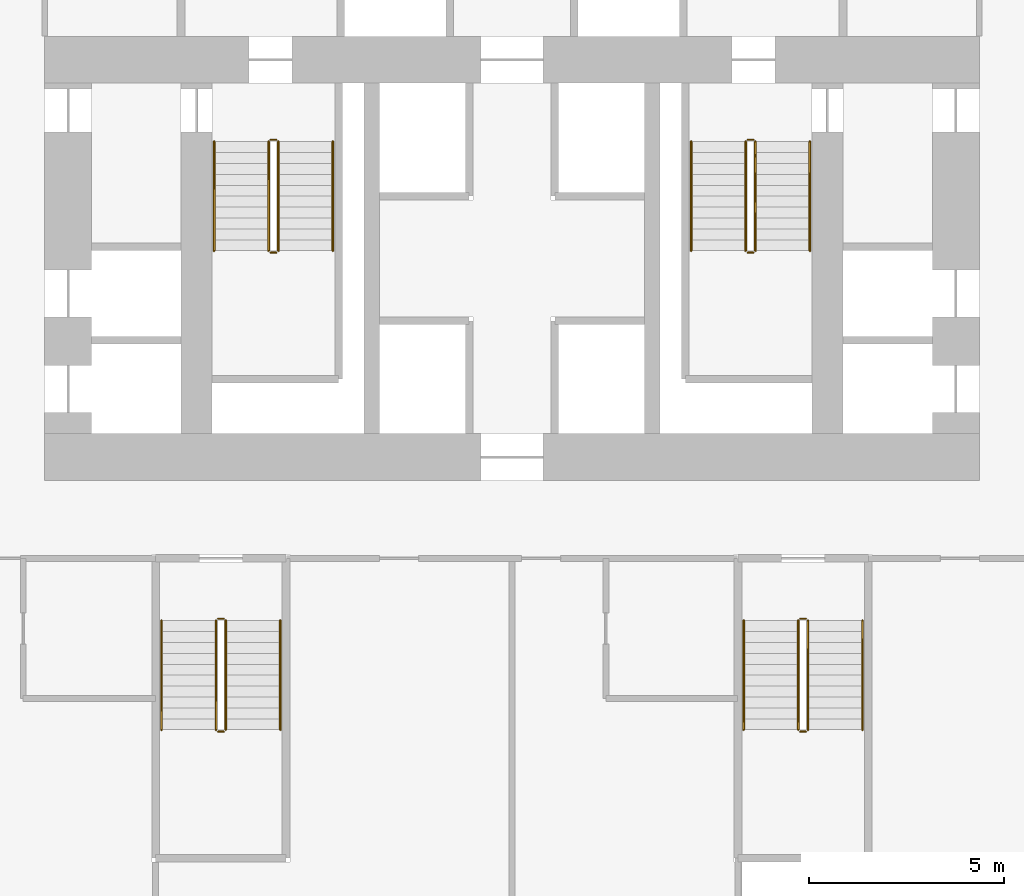
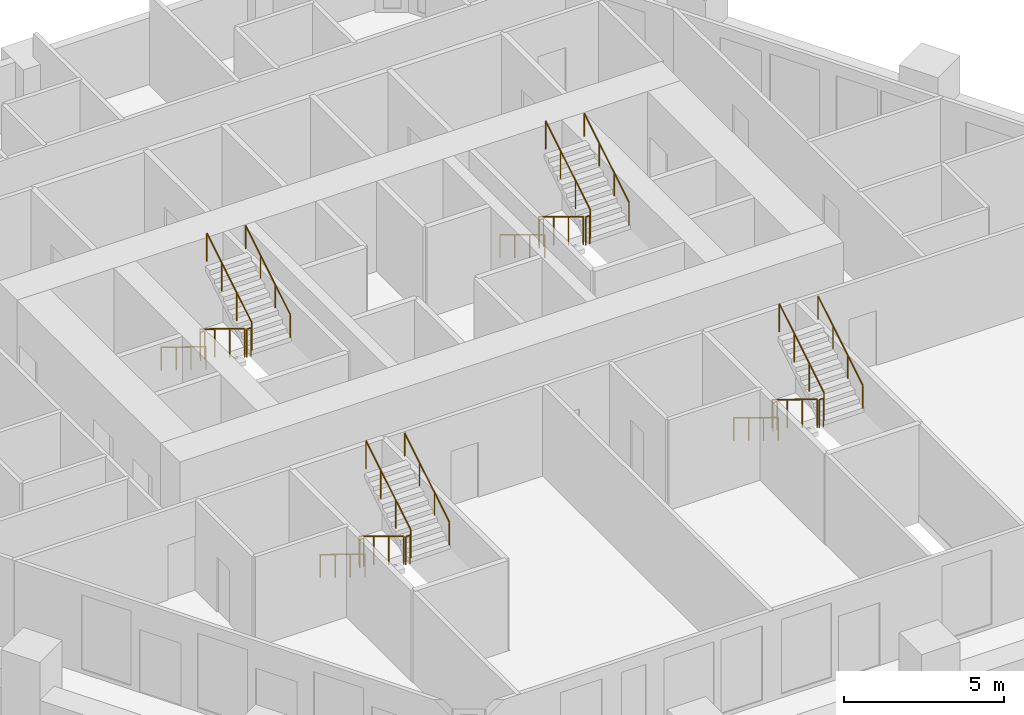
# One storey, part 8 of 8: 24 railings.
"""IFC4 building model written with IfcOpenShell, lengths in metres."""

from ifc_helpers import new_model, si_unit, direction, frame, origin, origin_2d, place, context, subcontext, project, spatial, circle, extrude, material, type_object, element, save


model = new_model("IFC4")

# Units and contexts
model_context = context("Model", 3, precision=1e-05, world=origin(), true_north=direction((0.0, 1.0)))
body_context = subcontext(model_context, "Body", "Model", "MODEL_VIEW")
ifc_project = project(units=[si_unit("LENGTHUNIT", "METRE"), si_unit("AREAUNIT", "SQUARE_METRE"), si_unit("VOLUMEUNIT", "CUBIC_METRE"), si_unit("PLANEANGLEUNIT", "RADIAN"), si_unit("MASSUNIT", "GRAM", prefix="KILO")], contexts=[model_context])

# Site, building, storey
site_placement = place(None, origin())
site = spatial("IfcSite", under=ifc_project, at=site_placement, CompositionType="ELEMENT")
building_placement = place(site_placement, origin())
building = spatial("IfcBuilding", under=site, at=building_placement, Name="Ostrander Bayou Hotel Tower", CompositionType="ELEMENT")
storey_placement = place(building_placement, frame((0.0, 0.0, 50.5)))
storey = spatial("IfcBuildingStorey", under=building, at=storey_placement, Name="L12", CompositionType="ELEMENT", Elevation=50.5)

# Railings
ifc_material_1 = material(Name="Steel ASTM A500 Gr C", Category="steel")
railing_type_1 = type_object("IfcRailingType", Name="GR1 stair guard 1100 mm steel", PredefinedType="GUARDRAIL", material=ifc_material_1)
railing_1_placement = place(storey_placement, frame((-6.25, 7.0, 0.17041015625)))
element("IfcRailing", 1, at=railing_1_placement, inside=storey, type_object=railing_type_1, Name="L12 STA stair guard 1", PredefinedType="GUARDRAIL", context=body_context, shape_type="SweptSolid", body=[
    extrude(circle(Radius=0.02392578125, at=origin_2d()), frame((0.0, 0.0, 1.076171875), z_axis=(0.0, -0.854169791009, 0.51999420009), x_axis=(1.0, 0.0, 0.0)), (0.0, 0.0, 1.0), 3.278076171875),
    extrude(circle(Radius=0.02099609375, at=origin_2d()), origin(), (0.0, 0.0, 1.0), 1.052001953125),
    extrude(circle(Radius=0.02099609375, at=origin_2d()), frame((0.0, -0.933349609375, 0.568115234375)), (0.0, 0.0, 1.0), 1.052001953125),
    extrude(circle(Radius=0.02099609375, at=origin_2d()), frame((0.0, -1.86669921875, 1.136474609375)), (0.0, 0.0, 1.0), 1.052001953125),
    extrude(circle(Radius=0.02099609375, at=origin_2d()), frame((0.0, -2.800048828125, 1.70458984375)), (0.0, 0.0, 1.0), 1.052001953125),
])
railing_2_placement = place(storey_placement, frame((-6.199951171875, 4.14990234375, 1.875)))
element("IfcRailing", 2, at=railing_2_placement, inside=storey, type_object=railing_type_1, Name="L12 STA stair guard 2", PredefinedType="GUARDRAIL", context=body_context, shape_type="SweptSolid", body=[
    extrude(circle(Radius=0.02392578125, at=origin_2d()), frame((0.0, 0.0, 1.076171875), z_axis=(1.0, 0.0, 0.0), x_axis=(0.0, 1.0, 0.0)), (0.0, 0.0, 1.0), 0.14990234375),
    extrude(circle(Radius=0.02099609375, at=origin_2d()), origin(), (0.0, 0.0, 1.0), 1.052001953125),
    extrude(circle(Radius=0.02099609375, at=origin_2d()), frame((0.14990234375, 0.0, 0.0)), (0.0, 0.0, 1.0), 1.052001953125),
])
railing_3_placement = place(storey_placement, frame((-6.0, 4.199951171875, 2.04541015625)))
element("IfcRailing", 3, at=railing_3_placement, inside=storey, type_object=railing_type_1, Name="L12 STA stair guard 3", PredefinedType="GUARDRAIL", context=body_context, shape_type="SweptSolid", body=[
    extrude(circle(Radius=0.02392578125, at=origin_2d()), frame((0.0, 0.0, 1.076171875), z_axis=(0.0, 0.854169791009, 0.51999420009), x_axis=(-1.0, 0.0, 0.0)), (0.0, 0.0, 1.0), 3.278076171875),
    extrude(circle(Radius=0.02099609375, at=origin_2d()), origin(), (0.0, 0.0, 1.0), 1.052001953125),
    extrude(circle(Radius=0.02099609375, at=origin_2d()), frame((0.0, 0.933349609375, 0.568115234375)), (0.0, 0.0, 1.0), 1.052001953125),
    extrude(circle(Radius=0.02099609375, at=origin_2d()), frame((0.0, 1.86669921875, 1.136474609375)), (0.0, 0.0, 1.0), 1.052001953125),
    extrude(circle(Radius=0.02099609375, at=origin_2d()), frame((0.0, 2.800048828125, 1.70458984375)), (0.0, 0.0, 1.0), 1.052001953125),
])
railing_4_placement = place(storey_placement, frame((-6.199951171875, 7.050048828125, 0.0)))
element("IfcRailing", 4, at=railing_4_placement, inside=storey, type_object=railing_type_1, Name="L12 STA stair guard 4", PredefinedType="GUARDRAIL", context=body_context, shape_type="SweptSolid", body=[
    extrude(circle(Radius=0.02392578125, at=origin_2d()), frame((0.0, 0.0, 1.076171875), z_axis=(1.0, 0.0, 0.0), x_axis=(0.0, 1.0, 0.0)), (0.0, 0.0, 1.0), 0.14990234375),
    extrude(circle(Radius=0.02099609375, at=origin_2d()), origin(), (0.0, 0.0, 1.0), 1.052001953125),
    extrude(circle(Radius=0.02099609375, at=origin_2d()), frame((0.14990234375, 0.0, 0.0)), (0.0, 0.0, 1.0), 1.052001953125),
])
railing_5_placement = place(storey_placement, frame((6.0, 7.0, 0.17041015625)))
element("IfcRailing", 5, at=railing_5_placement, inside=storey, type_object=railing_type_1, Name="L12 STB stair guard 1", PredefinedType="GUARDRAIL", context=body_context, shape_type="SweptSolid", body=[
    extrude(circle(Radius=0.02392578125, at=origin_2d()), frame((0.0, 0.0, 1.076171875), z_axis=(0.0, -0.854169791009, 0.51999420009), x_axis=(1.0, 0.0, 0.0)), (0.0, 0.0, 1.0), 3.278076171875),
    extrude(circle(Radius=0.02099609375, at=origin_2d()), origin(), (0.0, 0.0, 1.0), 1.052001953125),
    extrude(circle(Radius=0.02099609375, at=origin_2d()), frame((0.0, -0.933349609375, 0.568115234375)), (0.0, 0.0, 1.0), 1.052001953125),
    extrude(circle(Radius=0.02099609375, at=origin_2d()), frame((0.0, -1.86669921875, 1.136474609375)), (0.0, 0.0, 1.0), 1.052001953125),
    extrude(circle(Radius=0.02099609375, at=origin_2d()), frame((0.0, -2.800048828125, 1.70458984375)), (0.0, 0.0, 1.0), 1.052001953125),
])
railing_6_placement = place(storey_placement, frame((6.050048828125, 4.14990234375, 1.875)))
element("IfcRailing", 6, at=railing_6_placement, inside=storey, type_object=railing_type_1, Name="L12 STB stair guard 2", PredefinedType="GUARDRAIL", context=body_context, shape_type="SweptSolid", body=[
    extrude(circle(Radius=0.02392578125, at=origin_2d()), frame((0.0, 0.0, 1.076171875), z_axis=(1.0, 0.0, 0.0), x_axis=(0.0, 1.0, 0.0)), (0.0, 0.0, 1.0), 0.14990234375),
    extrude(circle(Radius=0.02099609375, at=origin_2d()), origin(), (0.0, 0.0, 1.0), 1.052001953125),
    extrude(circle(Radius=0.02099609375, at=origin_2d()), frame((0.14990234375, 0.0, 0.0)), (0.0, 0.0, 1.0), 1.052001953125),
])
railing_7_placement = place(storey_placement, frame((6.25, 4.199951171875, 2.04541015625)))
element("IfcRailing", 7, at=railing_7_placement, inside=storey, type_object=railing_type_1, Name="L12 STB stair guard 3", PredefinedType="GUARDRAIL", context=body_context, shape_type="SweptSolid", body=[
    extrude(circle(Radius=0.02392578125, at=origin_2d()), frame((0.0, 0.0, 1.076171875), z_axis=(0.0, 0.854169791009, 0.51999420009), x_axis=(-1.0, 0.0, 0.0)), (0.0, 0.0, 1.0), 3.278076171875),
    extrude(circle(Radius=0.02099609375, at=origin_2d()), origin(), (0.0, 0.0, 1.0), 1.052001953125),
    extrude(circle(Radius=0.02099609375, at=origin_2d()), frame((0.0, 0.933349609375, 0.568115234375)), (0.0, 0.0, 1.0), 1.052001953125),
    extrude(circle(Radius=0.02099609375, at=origin_2d()), frame((0.0, 1.86669921875, 1.136474609375)), (0.0, 0.0, 1.0), 1.052001953125),
    extrude(circle(Radius=0.02099609375, at=origin_2d()), frame((0.0, 2.800048828125, 1.70458984375)), (0.0, 0.0, 1.0), 1.052001953125),
])
railing_8_placement = place(storey_placement, frame((6.050048828125, 7.050048828125, 0.0)))
element("IfcRailing", 8, at=railing_8_placement, inside=storey, type_object=railing_type_1, Name="L12 STB stair guard 4", PredefinedType="GUARDRAIL", context=body_context, shape_type="SweptSolid", body=[
    extrude(circle(Radius=0.02392578125, at=origin_2d()), frame((0.0, 0.0, 1.076171875), z_axis=(1.0, 0.0, 0.0), x_axis=(0.0, 1.0, 0.0)), (0.0, 0.0, 1.0), 0.14990234375),
    extrude(circle(Radius=0.02099609375, at=origin_2d()), origin(), (0.0, 0.0, 1.0), 1.052001953125),
    extrude(circle(Radius=0.02099609375, at=origin_2d()), frame((0.14990234375, 0.0, 0.0)), (0.0, 0.0, 1.0), 1.052001953125),
])
railing_9_placement = place(storey_placement, frame((7.35009765625, -5.300048828125, 0.17041015625)))
element("IfcRailing", 9, at=railing_9_placement, inside=storey, type_object=railing_type_1, Name="L12 STC stair guard 1", PredefinedType="GUARDRAIL", context=body_context, shape_type="SweptSolid", body=[
    extrude(circle(Radius=0.02392578125, at=origin_2d()), frame((0.0, 0.0, 1.076171875), z_axis=(0.0, -0.854169791009, 0.51999420009), x_axis=(1.0, 0.0, 0.0)), (0.0, 0.0, 1.0), 3.278076171875),
    extrude(circle(Radius=0.02099609375, at=origin_2d()), origin(), (0.0, 0.0, 1.0), 1.052001953125),
    extrude(circle(Radius=0.02099609375, at=origin_2d()), frame((0.0, -0.933349609375, 0.568115234375)), (0.0, 0.0, 1.0), 1.052001953125),
    extrude(circle(Radius=0.02099609375, at=origin_2d()), frame((0.0, -1.86669921875, 1.136474609375)), (0.0, 0.0, 1.0), 1.052001953125),
    extrude(circle(Radius=0.02099609375, at=origin_2d()), frame((0.0, -2.800048828125, 1.70458984375)), (0.0, 0.0, 1.0), 1.052001953125),
])
railing_10_placement = place(storey_placement, frame((7.39990234375, -8.14990234375, 1.875)))
element("IfcRailing", 10, at=railing_10_placement, inside=storey, type_object=railing_type_1, Name="L12 STC stair guard 2", PredefinedType="GUARDRAIL", context=body_context, shape_type="SweptSolid", body=[
    extrude(circle(Radius=0.02392578125, at=origin_2d()), frame((0.0, 0.0, 1.076171875), z_axis=(1.0, 0.0, 0.0), x_axis=(0.0, 1.0, 0.0)), (0.0, 0.0, 1.0), 0.150146484375),
    extrude(circle(Radius=0.02099609375, at=origin_2d()), origin(), (0.0, 0.0, 1.0), 1.052001953125),
    extrude(circle(Radius=0.02099609375, at=origin_2d()), frame((0.150146484375, 0.0, 0.0)), (0.0, 0.0, 1.0), 1.052001953125),
])
railing_11_placement = place(storey_placement, frame((7.60009765625, -8.10009765625, 2.04541015625)))
element("IfcRailing", 11, at=railing_11_placement, inside=storey, type_object=railing_type_1, Name="L12 STC stair guard 3", PredefinedType="GUARDRAIL", context=body_context, shape_type="SweptSolid", body=[
    extrude(circle(Radius=0.02392578125, at=origin_2d()), frame((0.0, 0.0, 1.076171875), z_axis=(0.0, 0.854169791009, 0.51999420009), x_axis=(-1.0, 0.0, 0.0)), (0.0, 0.0, 1.0), 3.278076171875),
    extrude(circle(Radius=0.02099609375, at=origin_2d()), origin(), (0.0, 0.0, 1.0), 1.052001953125),
    extrude(circle(Radius=0.02099609375, at=origin_2d()), frame((0.0, 0.933349609375, 0.568115234375)), (0.0, 0.0, 1.0), 1.052001953125),
    extrude(circle(Radius=0.02099609375, at=origin_2d()), frame((0.0, 1.86669921875, 1.136474609375)), (0.0, 0.0, 1.0), 1.052001953125),
    extrude(circle(Radius=0.02099609375, at=origin_2d()), frame((0.0, 2.800048828125, 1.70458984375)), (0.0, 0.0, 1.0), 1.052001953125),
])
railing_12_placement = place(storey_placement, frame((7.39990234375, -5.25, 0.0)))
element("IfcRailing", 12, at=railing_12_placement, inside=storey, type_object=railing_type_1, Name="L12 STC stair guard 4", PredefinedType="GUARDRAIL", context=body_context, shape_type="SweptSolid", body=[
    extrude(circle(Radius=0.02392578125, at=origin_2d()), frame((0.0, 0.0, 1.076171875), z_axis=(1.0, 0.0, 0.0), x_axis=(0.0, 1.0, 0.0)), (0.0, 0.0, 1.0), 0.150146484375),
    extrude(circle(Radius=0.02099609375, at=origin_2d()), origin(), (0.0, 0.0, 1.0), 1.052001953125),
    extrude(circle(Radius=0.02099609375, at=origin_2d()), frame((0.150146484375, 0.0, 0.0)), (0.0, 0.0, 1.0), 1.052001953125),
])
railing_13_placement = place(storey_placement, frame((-7.60009765625, -5.300048828125, 0.17041015625)))
element("IfcRailing", 13, at=railing_13_placement, inside=storey, type_object=railing_type_1, Name="L12 STD stair guard 1", PredefinedType="GUARDRAIL", context=body_context, shape_type="SweptSolid", body=[
    extrude(circle(Radius=0.02392578125, at=origin_2d()), frame((0.0, 0.0, 1.076171875), z_axis=(0.0, -0.854169791009, 0.51999420009), x_axis=(1.0, 0.0, 0.0)), (0.0, 0.0, 1.0), 3.278076171875),
    extrude(circle(Radius=0.02099609375, at=origin_2d()), origin(), (0.0, 0.0, 1.0), 1.052001953125),
    extrude(circle(Radius=0.02099609375, at=origin_2d()), frame((0.0, -0.933349609375, 0.568115234375)), (0.0, 0.0, 1.0), 1.052001953125),
    extrude(circle(Radius=0.02099609375, at=origin_2d()), frame((0.0, -1.86669921875, 1.136474609375)), (0.0, 0.0, 1.0), 1.052001953125),
    extrude(circle(Radius=0.02099609375, at=origin_2d()), frame((0.0, -2.800048828125, 1.70458984375)), (0.0, 0.0, 1.0), 1.052001953125),
])
railing_14_placement = place(storey_placement, frame((-7.550048828125, -8.14990234375, 1.875)))
element("IfcRailing", 14, at=railing_14_placement, inside=storey, type_object=railing_type_1, Name="L12 STD stair guard 2", PredefinedType="GUARDRAIL", context=body_context, shape_type="SweptSolid", body=[
    extrude(circle(Radius=0.02392578125, at=origin_2d()), frame((0.0, 0.0, 1.076171875), z_axis=(1.0, 0.0, 0.0), x_axis=(0.0, 1.0, 0.0)), (0.0, 0.0, 1.0), 0.150146484375),
    extrude(circle(Radius=0.02099609375, at=origin_2d()), origin(), (0.0, 0.0, 1.0), 1.052001953125),
    extrude(circle(Radius=0.02099609375, at=origin_2d()), frame((0.150146484375, 0.0, 0.0)), (0.0, 0.0, 1.0), 1.052001953125),
])
railing_15_placement = place(storey_placement, frame((-7.35009765625, -8.10009765625, 2.04541015625)))
element("IfcRailing", 15, at=railing_15_placement, inside=storey, type_object=railing_type_1, Name="L12 STD stair guard 3", PredefinedType="GUARDRAIL", context=body_context, shape_type="SweptSolid", body=[
    extrude(circle(Radius=0.02392578125, at=origin_2d()), frame((0.0, 0.0, 1.076171875), z_axis=(0.0, 0.854169791009, 0.51999420009), x_axis=(-1.0, 0.0, 0.0)), (0.0, 0.0, 1.0), 3.278076171875),
    extrude(circle(Radius=0.02099609375, at=origin_2d()), origin(), (0.0, 0.0, 1.0), 1.052001953125),
    extrude(circle(Radius=0.02099609375, at=origin_2d()), frame((0.0, 0.933349609375, 0.568115234375)), (0.0, 0.0, 1.0), 1.052001953125),
    extrude(circle(Radius=0.02099609375, at=origin_2d()), frame((0.0, 1.86669921875, 1.136474609375)), (0.0, 0.0, 1.0), 1.052001953125),
    extrude(circle(Radius=0.02099609375, at=origin_2d()), frame((0.0, 2.800048828125, 1.70458984375)), (0.0, 0.0, 1.0), 1.052001953125),
])
railing_16_placement = place(storey_placement, frame((-7.550048828125, -5.25, 0.0)))
element("IfcRailing", 16, at=railing_16_placement, inside=storey, type_object=railing_type_1, Name="L12 STD stair guard 4", PredefinedType="GUARDRAIL", context=body_context, shape_type="SweptSolid", body=[
    extrude(circle(Radius=0.02392578125, at=origin_2d()), frame((0.0, 0.0, 1.076171875), z_axis=(1.0, 0.0, 0.0), x_axis=(0.0, 1.0, 0.0)), (0.0, 0.0, 1.0), 0.150146484375),
    extrude(circle(Radius=0.02099609375, at=origin_2d()), origin(), (0.0, 0.0, 1.0), 1.052001953125),
    extrude(circle(Radius=0.02099609375, at=origin_2d()), frame((0.150146484375, 0.0, 0.0)), (0.0, 0.0, 1.0), 1.052001953125),
])
ifc_material_2 = material(Name="Steel ASTM A500 Gr C", Category="steel")
railing_type_2 = type_object("IfcRailingType", Name="HR1 stair handrail 900 mm steel", PredefinedType="HANDRAIL", material=ifc_material_2)
railing_17_placement = place(storey_placement, frame((-7.64990234375, 7.0, 0.17041015625)))
element("IfcRailing", 17, at=railing_17_placement, inside=storey, type_object=railing_type_2, Name="L12 STA stair handrail 1", PredefinedType="HANDRAIL", context=body_context, shape_type="SweptSolid", body=[
    extrude(circle(Radius=0.02392578125, at=origin_2d()), frame((0.0, 0.0, 0.8759765625), z_axis=(0.0, -0.854169791009, 0.51999420009), x_axis=(1.0, 0.0, 0.0)), (0.0, 0.0, 1.0), 3.278076171875),
    extrude(circle(Radius=0.02099609375, at=origin_2d()), origin(), (0.0, 0.0, 1.0), 0.851806640625),
    extrude(circle(Radius=0.02099609375, at=origin_2d()), frame((0.0, -0.933349609375, 0.568115234375)), (0.0, 0.0, 1.0), 0.851806640625),
    extrude(circle(Radius=0.02099609375, at=origin_2d()), frame((0.0, -1.86669921875, 1.136474609375)), (0.0, 0.0, 1.0), 0.851806640625),
    extrude(circle(Radius=0.02099609375, at=origin_2d()), frame((0.0, -2.800048828125, 1.70458984375)), (0.0, 0.0, 1.0), 0.851806640625),
])
railing_18_placement = place(storey_placement, frame((-4.60009765625, 4.199951171875, 2.04541015625)))
element("IfcRailing", 18, at=railing_18_placement, inside=storey, type_object=railing_type_2, Name="L12 STA stair handrail 2", PredefinedType="HANDRAIL", context=body_context, shape_type="SweptSolid", body=[
    extrude(circle(Radius=0.02392578125, at=origin_2d()), frame((0.0, 0.0, 0.8759765625), z_axis=(0.0, 0.854169791009, 0.51999420009), x_axis=(-1.0, 0.0, 0.0)), (0.0, 0.0, 1.0), 3.278076171875),
    extrude(circle(Radius=0.02099609375, at=origin_2d()), origin(), (0.0, 0.0, 1.0), 0.851806640625),
    extrude(circle(Radius=0.02099609375, at=origin_2d()), frame((0.0, 0.933349609375, 0.568115234375)), (0.0, 0.0, 1.0), 0.851806640625),
    extrude(circle(Radius=0.02099609375, at=origin_2d()), frame((0.0, 1.86669921875, 1.136474609375)), (0.0, 0.0, 1.0), 0.851806640625),
    extrude(circle(Radius=0.02099609375, at=origin_2d()), frame((0.0, 2.800048828125, 1.70458984375)), (0.0, 0.0, 1.0), 0.851806640625),
])
railing_19_placement = place(storey_placement, frame((4.60009765625, 7.0, 0.17041015625)))
element("IfcRailing", 19, at=railing_19_placement, inside=storey, type_object=railing_type_2, Name="L12 STB stair handrail 1", PredefinedType="HANDRAIL", context=body_context, shape_type="SweptSolid", body=[
    extrude(circle(Radius=0.02392578125, at=origin_2d()), frame((0.0, 0.0, 0.8759765625), z_axis=(0.0, -0.854169791009, 0.51999420009), x_axis=(1.0, 0.0, 0.0)), (0.0, 0.0, 1.0), 3.278076171875),
    extrude(circle(Radius=0.02099609375, at=origin_2d()), origin(), (0.0, 0.0, 1.0), 0.851806640625),
    extrude(circle(Radius=0.02099609375, at=origin_2d()), frame((0.0, -0.933349609375, 0.568115234375)), (0.0, 0.0, 1.0), 0.851806640625),
    extrude(circle(Radius=0.02099609375, at=origin_2d()), frame((0.0, -1.86669921875, 1.136474609375)), (0.0, 0.0, 1.0), 0.851806640625),
    extrude(circle(Radius=0.02099609375, at=origin_2d()), frame((0.0, -2.800048828125, 1.70458984375)), (0.0, 0.0, 1.0), 0.851806640625),
])
railing_20_placement = place(storey_placement, frame((7.64990234375, 4.199951171875, 2.04541015625)))
element("IfcRailing", 20, at=railing_20_placement, inside=storey, type_object=railing_type_2, Name="L12 STB stair handrail 2", PredefinedType="HANDRAIL", context=body_context, shape_type="SweptSolid", body=[
    extrude(circle(Radius=0.02392578125, at=origin_2d()), frame((0.0, 0.0, 0.8759765625), z_axis=(0.0, 0.854169791009, 0.51999420009), x_axis=(-1.0, 0.0, 0.0)), (0.0, 0.0, 1.0), 3.278076171875),
    extrude(circle(Radius=0.02099609375, at=origin_2d()), origin(), (0.0, 0.0, 1.0), 0.851806640625),
    extrude(circle(Radius=0.02099609375, at=origin_2d()), frame((0.0, 0.933349609375, 0.568115234375)), (0.0, 0.0, 1.0), 0.851806640625),
    extrude(circle(Radius=0.02099609375, at=origin_2d()), frame((0.0, 1.86669921875, 1.136474609375)), (0.0, 0.0, 1.0), 0.851806640625),
    extrude(circle(Radius=0.02099609375, at=origin_2d()), frame((0.0, 2.800048828125, 1.70458984375)), (0.0, 0.0, 1.0), 0.851806640625),
])
railing_21_placement = place(storey_placement, frame((5.949951171875, -5.300048828125, 0.17041015625)))
element("IfcRailing", 21, at=railing_21_placement, inside=storey, type_object=railing_type_2, Name="L12 STC stair handrail 1", PredefinedType="HANDRAIL", context=body_context, shape_type="SweptSolid", body=[
    extrude(circle(Radius=0.02392578125, at=origin_2d()), frame((0.0, 0.0, 0.8759765625), z_axis=(0.0, -0.854169791009, 0.51999420009), x_axis=(1.0, 0.0, 0.0)), (0.0, 0.0, 1.0), 3.278076171875),
    extrude(circle(Radius=0.02099609375, at=origin_2d()), origin(), (0.0, 0.0, 1.0), 0.851806640625),
    extrude(circle(Radius=0.02099609375, at=origin_2d()), frame((0.0, -0.933349609375, 0.568115234375)), (0.0, 0.0, 1.0), 0.851806640625),
    extrude(circle(Radius=0.02099609375, at=origin_2d()), frame((0.0, -1.86669921875, 1.136474609375)), (0.0, 0.0, 1.0), 0.851806640625),
    extrude(circle(Radius=0.02099609375, at=origin_2d()), frame((0.0, -2.800048828125, 1.70458984375)), (0.0, 0.0, 1.0), 0.851806640625),
])
railing_22_placement = place(storey_placement, frame((9.0, -8.10009765625, 2.04541015625)))
element("IfcRailing", 22, at=railing_22_placement, inside=storey, type_object=railing_type_2, Name="L12 STC stair handrail 2", PredefinedType="HANDRAIL", context=body_context, shape_type="SweptSolid", body=[
    extrude(circle(Radius=0.02392578125, at=origin_2d()), frame((0.0, 0.0, 0.8759765625), z_axis=(0.0, 0.854169791009, 0.51999420009), x_axis=(-1.0, 0.0, 0.0)), (0.0, 0.0, 1.0), 3.278076171875),
    extrude(circle(Radius=0.02099609375, at=origin_2d()), origin(), (0.0, 0.0, 1.0), 0.851806640625),
    extrude(circle(Radius=0.02099609375, at=origin_2d()), frame((0.0, 0.933349609375, 0.568115234375)), (0.0, 0.0, 1.0), 0.851806640625),
    extrude(circle(Radius=0.02099609375, at=origin_2d()), frame((0.0, 1.86669921875, 1.136474609375)), (0.0, 0.0, 1.0), 0.851806640625),
    extrude(circle(Radius=0.02099609375, at=origin_2d()), frame((0.0, 2.800048828125, 1.70458984375)), (0.0, 0.0, 1.0), 0.851806640625),
])
railing_23_placement = place(storey_placement, frame((-9.0, -5.300048828125, 0.17041015625)))
element("IfcRailing", 23, at=railing_23_placement, inside=storey, type_object=railing_type_2, Name="L12 STD stair handrail 1", PredefinedType="HANDRAIL", context=body_context, shape_type="SweptSolid", body=[
    extrude(circle(Radius=0.02392578125, at=origin_2d()), frame((0.0, 0.0, 0.8759765625), z_axis=(0.0, -0.854169791009, 0.51999420009), x_axis=(1.0, 0.0, 0.0)), (0.0, 0.0, 1.0), 3.278076171875),
    extrude(circle(Radius=0.02099609375, at=origin_2d()), origin(), (0.0, 0.0, 1.0), 0.851806640625),
    extrude(circle(Radius=0.02099609375, at=origin_2d()), frame((0.0, -0.933349609375, 0.568115234375)), (0.0, 0.0, 1.0), 0.851806640625),
    extrude(circle(Radius=0.02099609375, at=origin_2d()), frame((0.0, -1.86669921875, 1.136474609375)), (0.0, 0.0, 1.0), 0.851806640625),
    extrude(circle(Radius=0.02099609375, at=origin_2d()), frame((0.0, -2.800048828125, 1.70458984375)), (0.0, 0.0, 1.0), 0.851806640625),
])
railing_24_placement = place(storey_placement, frame((-5.949951171875, -8.10009765625, 2.04541015625)))
element("IfcRailing", 24, at=railing_24_placement, inside=storey, type_object=railing_type_2, Name="L12 STD stair handrail 2", PredefinedType="HANDRAIL", context=body_context, shape_type="SweptSolid", body=[
    extrude(circle(Radius=0.02392578125, at=origin_2d()), frame((0.0, 0.0, 0.8759765625), z_axis=(0.0, 0.854169791009, 0.51999420009), x_axis=(-1.0, 0.0, 0.0)), (0.0, 0.0, 1.0), 3.278076171875),
    extrude(circle(Radius=0.02099609375, at=origin_2d()), origin(), (0.0, 0.0, 1.0), 0.851806640625),
    extrude(circle(Radius=0.02099609375, at=origin_2d()), frame((0.0, 0.933349609375, 0.568115234375)), (0.0, 0.0, 1.0), 0.851806640625),
    extrude(circle(Radius=0.02099609375, at=origin_2d()), frame((0.0, 1.86669921875, 1.136474609375)), (0.0, 0.0, 1.0), 0.851806640625),
    extrude(circle(Radius=0.02099609375, at=origin_2d()), frame((0.0, 2.800048828125, 1.70458984375)), (0.0, 0.0, 1.0), 0.851806640625),
])

save(model, "model.ifc")
